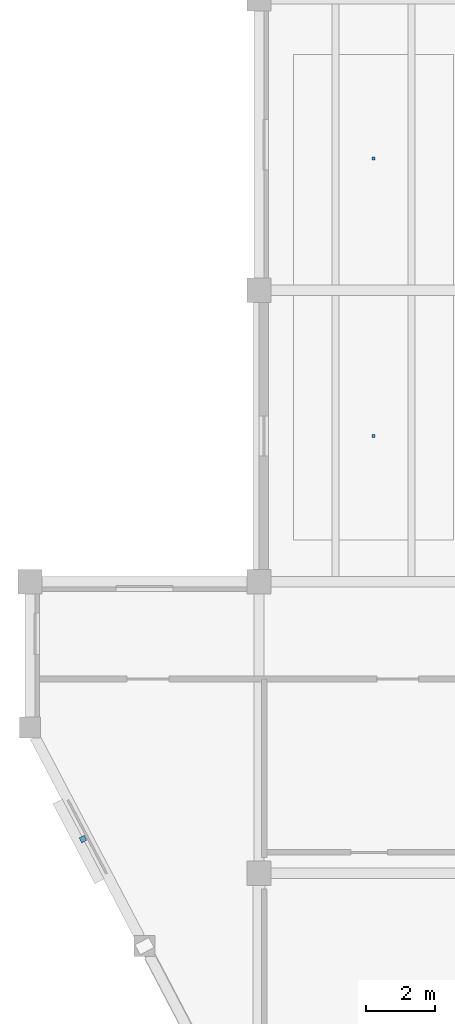
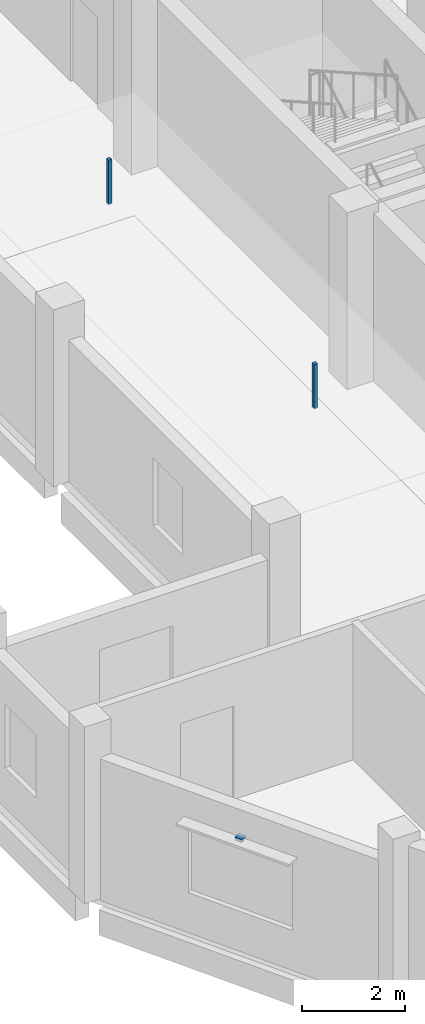
# One storey, part 14 of 19: 3 discrete accessories.
"""IFC4 building model written with IfcOpenShell, lengths in metres."""

from ifc_helpers import new_model, si_unit, direction, frame, origin, origin_2d, place, context, subcontext, project, spatial, rectangle, extrude, material, layer, layer_set, type_object, element, save


model = new_model("IFC4")

# Units and contexts
model_context = context("Model", 3, precision=1e-05, world=origin(), true_north=direction((0.0, 1.0)))
body_context = subcontext(model_context, "Body", "Model", "MODEL_VIEW")
ifc_project = project(units=[si_unit("LENGTHUNIT", "METRE"), si_unit("AREAUNIT", "SQUARE_METRE"), si_unit("VOLUMEUNIT", "CUBIC_METRE"), si_unit("PLANEANGLEUNIT", "RADIAN"), si_unit("MASSUNIT", "GRAM", prefix="KILO")], contexts=[model_context])

# Site, building, storey
site_placement = place(None, origin())
site = spatial("IfcSite", under=ifc_project, at=site_placement, CompositionType="ELEMENT")
building_placement = place(site_placement, origin())
building = spatial("IfcBuilding", under=site, at=building_placement, Name="Qaldarim Faculty of Natural and Applied Sciences", CompositionType="ELEMENT")
storey_placement = place(building_placement, frame((0.0, 0.0, 27.0)))
storey = spatial("IfcBuildingStorey", under=building, at=storey_placement, Name="L06", CompositionType="ELEMENT", Elevation=27.0)

# Discrete accessories
ifc_material = material(Name="Architectural stainless steel 316", Category="steel")
ifc_layer = layer(ifc_material, 0.080078125)
ifc_layer_set = layer_set([ifc_layer], Name="Architectural stainless steel 316")
discrete_accessory_type = type_object("IfcDiscreteAccessoryType", Name="FacadeBracket-SS120", PredefinedType="BRACKET", material=ifc_layer_set)
discrete_accessory_placement = place(storey_placement, frame((153.324951171875, 9.385009765625, 2.659912109375), z_axis=(0.0, 0.0, 1.0), x_axis=(0.46447113214, -0.885588260654, 0.0)))
element("IfcDiscreteAccessory", 1, at=discrete_accessory_placement, inside=storey, type_object=discrete_accessory_type, Name="Oblique solar louvre bracket SHD-OBL-SW-L06-1", PredefinedType="BRACKET", context=body_context, shape_type="SweptSolid", body=[
    extrude(rectangle(XDim=0.159912109375, YDim=0.159912109375, at=origin_2d()), origin(), (0.0, 0.0, 1.0), 0.080078125),
])
for number, where, z_axis, x_axis, name in (
    (2, (161.699951171875, 21.0, 2.9501953125), (0.0, 0.0, 1.0), (1.0, 0.0, 0.0), "Ceiling suspension hanger L06 1"),
    (3, (161.699951171875, 29.0, 2.9501953125), (0.0, 0.0, 1.0), (1.0, 0.0, 0.0), "Ceiling suspension hanger L06 2"),
):
    element("IfcDiscreteAccessory", number, at=place(storey_placement, frame(where, z_axis=z_axis, x_axis=x_axis)), inside=storey, type_object=discrete_accessory_type, Name=name, PredefinedType="BRACKET", context=body_context, shape_type="SweptSolid", body=[
        extrude(rectangle(XDim=0.080078125, YDim=0.080078125, at=origin_2d()), origin(), (0.0, 0.0, 1.0), 1.050048828125),
    ])

save(model, "model.ifc")
